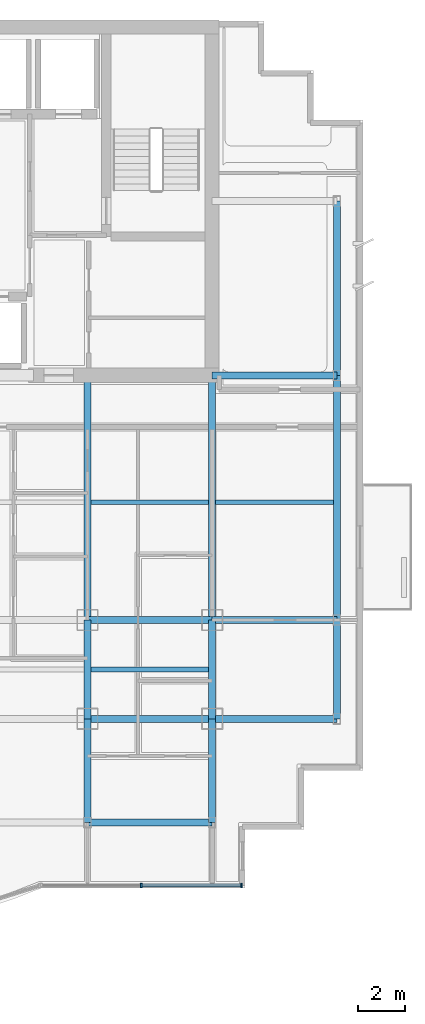
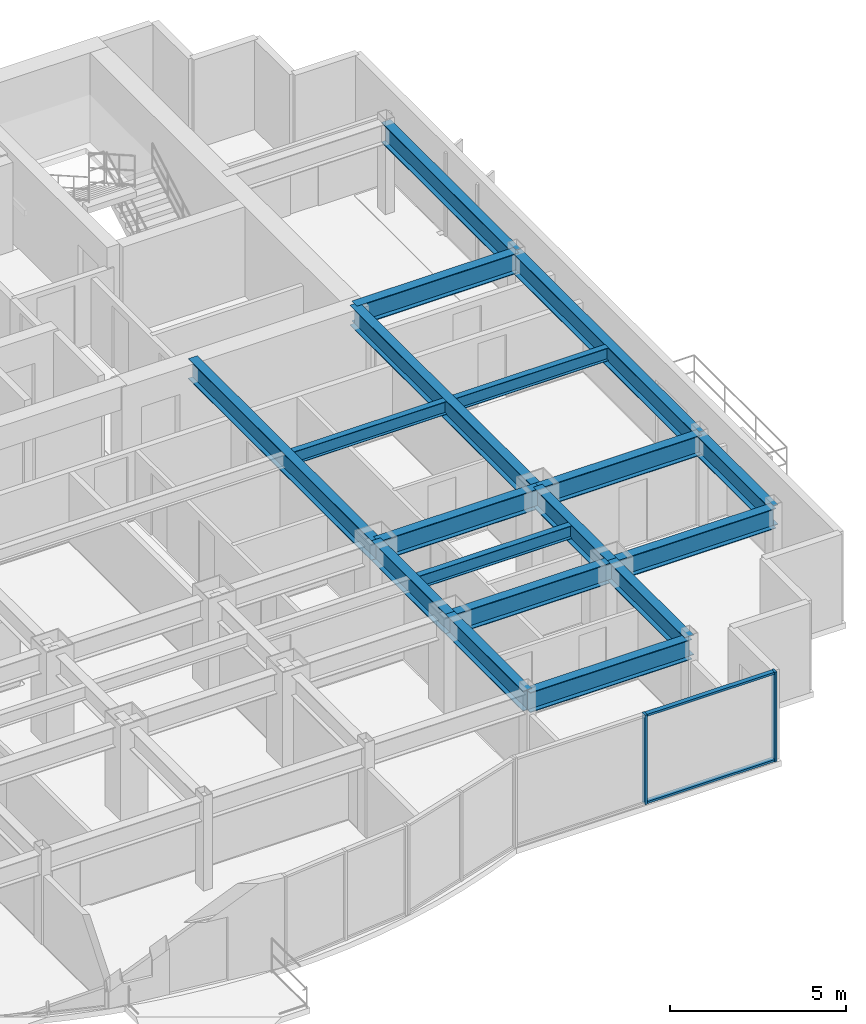
# One storey, part 4 of 11: 18 beams, 4 members, 1 element without a shape of its own.
"""IFC4 building model written with IfcOpenShell, lengths in metres."""

from ifc_helpers import new_model, si_unit, direction, frame, origin, origin_2d, place, context, subcontext, project, spatial, rectangle, i_section, extrude, source, transform, mapped, material, layer, layer_set, material_profile, profile_set, type_object, element, aggregate, save


model = new_model("IFC4")

# Units and contexts
model_context = context("Model", 3, precision=1e-05, world=origin(), true_north=direction((0.0, 1.0)))
body_context = subcontext(model_context, "Body", "Model", "MODEL_VIEW")
ifc_project = project(units=[si_unit("LENGTHUNIT", "METRE"), si_unit("AREAUNIT", "SQUARE_METRE"), si_unit("VOLUMEUNIT", "CUBIC_METRE"), si_unit("PLANEANGLEUNIT", "RADIAN"), si_unit("MASSUNIT", "GRAM", prefix="KILO")], contexts=[model_context])

# Site, building, storey
site_placement = place(None, origin())
site = spatial("IfcSite", under=ifc_project, at=site_placement, CompositionType="ELEMENT")
building_placement = place(site_placement, origin())
building = spatial("IfcBuilding", under=site, at=building_placement, Name="Qianlan Lanfeng Residences", CompositionType="ELEMENT")
storey_placement = place(building_placement, frame((0.0, 0.0, 145.800048828125)))
storey = spatial("IfcBuildingStorey", under=building, at=storey_placement, Name="L39", CompositionType="ELEMENT", Elevation=145.800048828125)

# Beams
ifc_material_1 = material(Name="Steel SN490B", Category="steel")
ifc_material_profile_1 = material_profile(ifc_material_1, i_section(OverallWidth=0.300048828125, OverallDepth=0.699951171875, WebThickness=0.012939453125, FlangeThickness=0.02392578125, at=origin_2d()), Name="H 700x300x13x24")
ifc_profile_set_1 = profile_set([ifc_material_profile_1], Name="Steel SN490B")
beam_type_1 = type_object("IfcBeamType", Name="G-750", PredefinedType="BEAM", material=ifc_profile_set_1)
beam_1_placement = place(storey_placement, frame((37.10009765625, 10.60009765625, 2.75), z_axis=(1.0, 0.0, 0.0), x_axis=(0.0, 1.0, 0.0)))
element("IfcBeam", 1, at=beam_1_placement, inside=storey, type_object=beam_type_1, Name="Structural beam G-750", PredefinedType="BEAM", context=body_context, shape_type="SweptSolid", body=[
    extrude(i_section(OverallWidth=0.300048828125, OverallDepth=0.699951171875, WebThickness=0.012939453125, FlangeThickness=0.02392578125, at=origin_2d()), origin(), (0.0, 0.0, 1.0), 5.2998046875),
])
beam_2_placement = place(storey_placement, frame((42.39990234375, 10.60009765625, 2.75), z_axis=(1.0, 0.0, 0.0), x_axis=(0.0, 1.0, 0.0)))
element("IfcBeam", 2, at=beam_2_placement, inside=storey, type_object=beam_type_1, Name="Structural beam G-750", PredefinedType="BEAM", context=body_context, shape_type="SweptSolid", body=[
    extrude(i_section(OverallWidth=0.300048828125, OverallDepth=0.699951171875, WebThickness=0.012939453125, FlangeThickness=0.02392578125, at=origin_2d()), origin(), (0.0, 0.0, 1.0), 5.300048828125),
])
beam_3_placement = place(storey_placement, frame((37.10009765625, 14.800048828125, 2.75), z_axis=(1.0, 0.0, 0.0), x_axis=(0.0, 1.0, 0.0)))
element("IfcBeam", 3, at=beam_3_placement, inside=storey, type_object=beam_type_1, Name="Structural beam G-750", PredefinedType="BEAM", context=body_context, shape_type="SweptSolid", body=[
    extrude(i_section(OverallWidth=0.300048828125, OverallDepth=0.699951171875, WebThickness=0.012939453125, FlangeThickness=0.02392578125, at=origin_2d()), origin(), (0.0, 0.0, 1.0), 5.2998046875),
])
for number, where, z_axis, x_axis, name in (
    (4, (42.39990234375, 14.800048828125, 2.75), (1.0, 0.0, 0.0), (0.0, 1.0, 0.0), "Structural beam G-750"),
    (5, (42.39990234375, 25.199951171875, 2.75), (1.0, 0.0, 0.0), (0.0, 1.0, 0.0), "Structural beam G-750"),
):
    element("IfcBeam", number, at=place(storey_placement, frame(where, z_axis=z_axis, x_axis=x_axis)), inside=storey, type_object=beam_type_1, Name=name, PredefinedType="BEAM", context=body_context, shape_type="SweptSolid", body=[
        extrude(i_section(OverallWidth=0.300048828125, OverallDepth=0.699951171875, WebThickness=0.012939453125, FlangeThickness=0.02392578125, at=origin_2d()), origin(), (0.0, 0.0, 1.0), 5.300048828125),
    ])
beam_4_placement = place(storey_placement, frame((37.10009765625, 6.199951171875, 2.75), z_axis=(0.0, 1.0, 0.0), x_axis=(-1.0, 0.0, 0.0)))
element("IfcBeam", 6, at=beam_4_placement, inside=storey, type_object=beam_type_1, Name="Structural beam G-750", PredefinedType="BEAM", context=body_context, shape_type="SweptSolid", body=[
    extrude(i_section(OverallWidth=0.300048828125, OverallDepth=0.699951171875, WebThickness=0.012939453125, FlangeThickness=0.02392578125, at=origin_2d()), origin(), (0.0, 0.0, 1.0), 4.400146484375),
])
beam_5_placement = place(storey_placement, frame((37.10009765625, 10.60009765625, 2.75), z_axis=(0.0, 1.0, 0.0), x_axis=(-1.0, 0.0, 0.0)))
element("IfcBeam", 7, at=beam_5_placement, inside=storey, type_object=beam_type_1, Name="Structural beam G-750", PredefinedType="BEAM", context=body_context, shape_type="SweptSolid", body=[
    extrude(i_section(OverallWidth=0.300048828125, OverallDepth=0.699951171875, WebThickness=0.012939453125, FlangeThickness=0.02392578125, at=origin_2d()), origin(), (0.0, 0.0, 1.0), 4.199951171875),
])
beam_6_placement = place(storey_placement, frame((37.10009765625, 14.800048828125, 2.75), z_axis=(0.0, 1.0, 0.0), x_axis=(-1.0, 0.0, 0.0)))
element("IfcBeam", 8, at=beam_6_placement, inside=storey, type_object=beam_type_1, Name="Structural beam G-750", PredefinedType="BEAM", context=body_context, shape_type="SweptSolid", body=[
    extrude(i_section(OverallWidth=0.300048828125, OverallDepth=0.699951171875, WebThickness=0.012939453125, FlangeThickness=0.02392578125, at=origin_2d()), origin(), (0.0, 0.0, 1.0), 10.39990234375),
])
beam_7_placement = place(storey_placement, frame((42.39990234375, 6.199951171875, 2.75), z_axis=(0.0, 1.0, 0.0), x_axis=(-1.0, 0.0, 0.0)))
element("IfcBeam", 9, at=beam_7_placement, inside=storey, type_object=beam_type_1, Name="Structural beam G-750", PredefinedType="BEAM", context=body_context, shape_type="SweptSolid", body=[
    extrude(i_section(OverallWidth=0.300048828125, OverallDepth=0.699951171875, WebThickness=0.012939453125, FlangeThickness=0.02392578125, at=origin_2d()), origin(), (0.0, 0.0, 1.0), 4.400146484375),
])
beam_8_placement = place(storey_placement, frame((42.39990234375, 10.60009765625, 2.75), z_axis=(0.0, 1.0, 0.0), x_axis=(-1.0, 0.0, 0.0)))
element("IfcBeam", 10, at=beam_8_placement, inside=storey, type_object=beam_type_1, Name="Structural beam G-750", PredefinedType="BEAM", context=body_context, shape_type="SweptSolid", body=[
    extrude(i_section(OverallWidth=0.300048828125, OverallDepth=0.699951171875, WebThickness=0.012939453125, FlangeThickness=0.02392578125, at=origin_2d()), origin(), (0.0, 0.0, 1.0), 4.199951171875),
])
beam_9_placement = place(storey_placement, frame((42.39990234375, 14.800048828125, 2.75), z_axis=(0.0, 1.0, 0.0), x_axis=(-1.0, 0.0, 0.0)))
element("IfcBeam", 11, at=beam_9_placement, inside=storey, type_object=beam_type_1, Name="Structural beam G-750", PredefinedType="BEAM", context=body_context, shape_type="SweptSolid", body=[
    extrude(i_section(OverallWidth=0.300048828125, OverallDepth=0.699951171875, WebThickness=0.012939453125, FlangeThickness=0.02392578125, at=origin_2d()), origin(), (0.0, 0.0, 1.0), 10.39990234375),
])
ifc_material_profile_2 = material_profile(ifc_material_1, i_section(OverallWidth=0.199951171875, OverallDepth=0.449951171875, WebThickness=0.009033203125, FlangeThickness=0.013916015625, at=origin_2d()), Name="H 450x200x9x14")
ifc_profile_set_2 = profile_set([ifc_material_profile_2], Name="Steel SN490B")
beam_type_2 = type_object("IfcBeamType", Name="J-450", PredefinedType="JOIST", material=ifc_profile_set_2)
for number, where, z_axis, x_axis, name in (
    (12, (37.25, 12.699951171875, 2.875), (1.0, 0.0, 0.0), (0.0, 1.0, 0.0), "Structural beam J-450"),
    (13, (37.25, 19.800048828125, 2.875), (1.0, 0.0, 0.0), (0.0, 1.0, 0.0), "Structural beam J-450"),
    (14, (42.550048828125, 19.800048828125, 2.875), (1.0, 0.0, 0.0), (0.0, 1.0, 0.0), "Structural beam J-450"),
):
    element("IfcBeam", number, at=place(storey_placement, frame(where, z_axis=z_axis, x_axis=x_axis)), inside=storey, type_object=beam_type_2, Name=name, PredefinedType="JOIST", context=body_context, shape_type="SweptSolid", body=[
        extrude(i_section(OverallWidth=0.199951171875, OverallDepth=0.449951171875, WebThickness=0.009033203125, FlangeThickness=0.013916015625, at=origin_2d()), origin(), (0.0, 0.0, 1.0), 5.0),
    ])
ifc_material_profile_3 = material_profile(ifc_material_1, i_section(OverallWidth=0.300048828125, OverallDepth=0.699951171875, WebThickness=0.012939453125, FlangeThickness=0.02392578125, at=origin_2d()), Name="H 700x300x13x24")
ifc_profile_set_3 = profile_set([ifc_material_profile_3], Name="Steel SN490B")
beam_type_3 = type_object("IfcBeamType", Name="SG-750", PredefinedType="SPANDREL", material=ifc_profile_set_3)
beam_10_placement = place(storey_placement, frame((37.10009765625, 6.199951171875, 2.739990234375), z_axis=(1.0, 0.0, 0.0), x_axis=(0.0, 1.0, 0.0)))
element("IfcBeam", 15, at=beam_10_placement, inside=storey, type_object=beam_type_3, Name="Structural beam SG-750", PredefinedType="SPANDREL", context=body_context, shape_type="SweptSolid", body=[
    extrude(i_section(OverallWidth=0.300048828125, OverallDepth=0.699951171875, WebThickness=0.012939453125, FlangeThickness=0.02392578125, at=origin_2d()), origin(), (0.0, 0.0, 1.0), 5.2998046875),
])
beam_11_placement = place(storey_placement, frame((47.699951171875, 10.60009765625, 2.739990234375), z_axis=(0.0, 1.0, 0.0), x_axis=(-1.0, 0.0, 0.0)))
element("IfcBeam", 16, at=beam_11_placement, inside=storey, type_object=beam_type_3, Name="Structural beam SG-750", PredefinedType="SPANDREL", context=body_context, shape_type="SweptSolid", body=[
    extrude(i_section(OverallWidth=0.300048828125, OverallDepth=0.699951171875, WebThickness=0.012939453125, FlangeThickness=0.02392578125, at=origin_2d()), origin(), (0.0, 0.0, 1.0), 4.199951171875),
])
beam_12_placement = place(storey_placement, frame((47.699951171875, 14.800048828125, 2.739990234375), z_axis=(0.0, 1.0, 0.0), x_axis=(-1.0, 0.0, 0.0)))
element("IfcBeam", 17, at=beam_12_placement, inside=storey, type_object=beam_type_3, Name="Structural beam SG-750", PredefinedType="SPANDREL", context=body_context, shape_type="SweptSolid", body=[
    extrude(i_section(OverallWidth=0.300048828125, OverallDepth=0.699951171875, WebThickness=0.012939453125, FlangeThickness=0.02392578125, at=origin_2d()), origin(), (0.0, 0.0, 1.0), 10.39990234375),
])
beam_13_placement = place(storey_placement, frame((47.699951171875, 25.199951171875, 2.739990234375), z_axis=(0.0, 1.0, 0.0), x_axis=(-1.0, 0.0, 0.0)))
element("IfcBeam", 18, at=beam_13_placement, inside=storey, type_object=beam_type_3, Name="Structural beam SG-750", PredefinedType="SPANDREL", context=body_context, shape_type="SweptSolid", body=[
    extrude(i_section(OverallWidth=0.300048828125, OverallDepth=0.699951171875, WebThickness=0.012939453125, FlangeThickness=0.02392578125, at=origin_2d()), origin(), (0.0, 0.0, 1.0), 7.400146484375),
])

# Curtain wall, members
ifc_material_2 = material(Name="Anodised Bronze Aluminium 6063-T6", Category="aluminium")
ifc_layer = layer(ifc_material_2, 0.219970703125)
ifc_layer_set = layer_set([ifc_layer], Name="Anodised Bronze Aluminium 6063-T6")
curtain_wall_type = type_object("IfcCurtainWallType", Name="CW-04", PredefinedType="NOTDEFINED", material=ifc_layer_set)
curtain_wall_placement = place(storey_placement, origin())
curtain_wall = element("IfcCurtainWall", 19, at=curtain_wall_placement, inside=storey, type_object=curtain_wall_type, Name="L39 Unitised Curtain Wall CWR-L39-05 (CW-04)", PredefinedType="NOTDEFINED")
ifc_material_profile_4 = material_profile(ifc_material_2, rectangle(XDim=0.074951171875, YDim=0.14990234375, at=origin_2d()), Name="ALU TRANSOM 75x150")
ifc_profile_set_4 = profile_set([ifc_material_profile_4], Name="Anodised Bronze Aluminium 6063-T6")
member_type_1 = type_object("IfcMemberType", Name="CWT-150", PredefinedType="USERDEFINED", material=ifc_profile_set_4)
shared_shape_1 = source(origin(), body_context, "Body", "SweptSolid", [
    extrude(rectangle(XDim=0.074951171875, YDim=0.14990234375, at=origin_2d()), origin(), (0.0, 0.0, 1.0), 4.178955078125),
])
member_1_placement = place(storey_placement, frame((39.426025390625, 3.52001953125, 0.037353515625), z_axis=(1.0, 0.0, 0.0), x_axis=(0.0, 0.0, 1.0)))
member_1 = element("IfcMember", 20, at=member_1_placement, type_object=member_type_1, Name="CWR-L39-05 Transom 2-BOT", ObjectType="TRANSOM", PredefinedType="USERDEFINED", context=body_context, shape_type="MappedRepresentation", body=[
    mapped(shared_shape_1, transform((0.0, 0.0, 0.0), scale=1.0)),
])
member_2_placement = place(storey_placement, frame((39.426025390625, 3.52001953125, 3.0625), z_axis=(1.0, 0.0, 0.0), x_axis=(0.0, 0.0, 1.0)))
member_2 = element("IfcMember", 21, at=member_2_placement, type_object=member_type_1, Name="CWR-L39-05 Transom 2-TOP", ObjectType="TRANSOM", PredefinedType="USERDEFINED", context=body_context, shape_type="MappedRepresentation", body=[
    mapped(shared_shape_1, transform((0.0, 0.0, 0.0), scale=1.0)),
])
ifc_material_profile_5 = material_profile(ifc_material_2, rectangle(XDim=0.074951171875, YDim=0.179931640625, at=origin_2d()), Name="ALU MULLION 75x180")
ifc_profile_set_5 = profile_set([ifc_material_profile_5], Name="Anodised Bronze Aluminium 6063-T6")
member_type_2 = type_object("IfcMemberType", Name="CWM-180", PredefinedType="MULLION", material=ifc_profile_set_5)
shared_shape_2 = source(origin(), body_context, "Body", "SweptSolid", [
    extrude(rectangle(XDim=0.074951171875, YDim=0.179931640625, at=origin_2d()), origin(), (0.0, 0.0, 1.0), 3.099853515625),
])
member_3_placement = place(storey_placement, frame((39.388427734375, 3.52001953125, 0.0), z_axis=(0.0, 0.0, 1.0), x_axis=(1.0, 0.0, 0.0)))
member_3 = element("IfcMember", 22, at=member_3_placement, type_object=member_type_2, Name="CWR-L39-05 Mullion 2", PredefinedType="MULLION", context=body_context, shape_type="MappedRepresentation", body=[
    mapped(shared_shape_2, transform((0.0, 0.0, 0.0), scale=1.0)),
])
member_4_placement = place(storey_placement, frame((43.642578125, 3.52001953125, 0.0), z_axis=(0.0, 0.0, 1.0), x_axis=(1.0, 0.0, 0.0)))
member_4 = element("IfcMember", 23, at=member_4_placement, type_object=member_type_2, Name="CWR-L39-05 Mullion 3", PredefinedType="MULLION", context=body_context, shape_type="MappedRepresentation", body=[
    mapped(shared_shape_2, transform((0.0, 0.0, 0.0), scale=1.0)),
])
aggregate(curtain_wall, [member_3, member_4, member_1, member_2])

save(model, "model.ifc")
